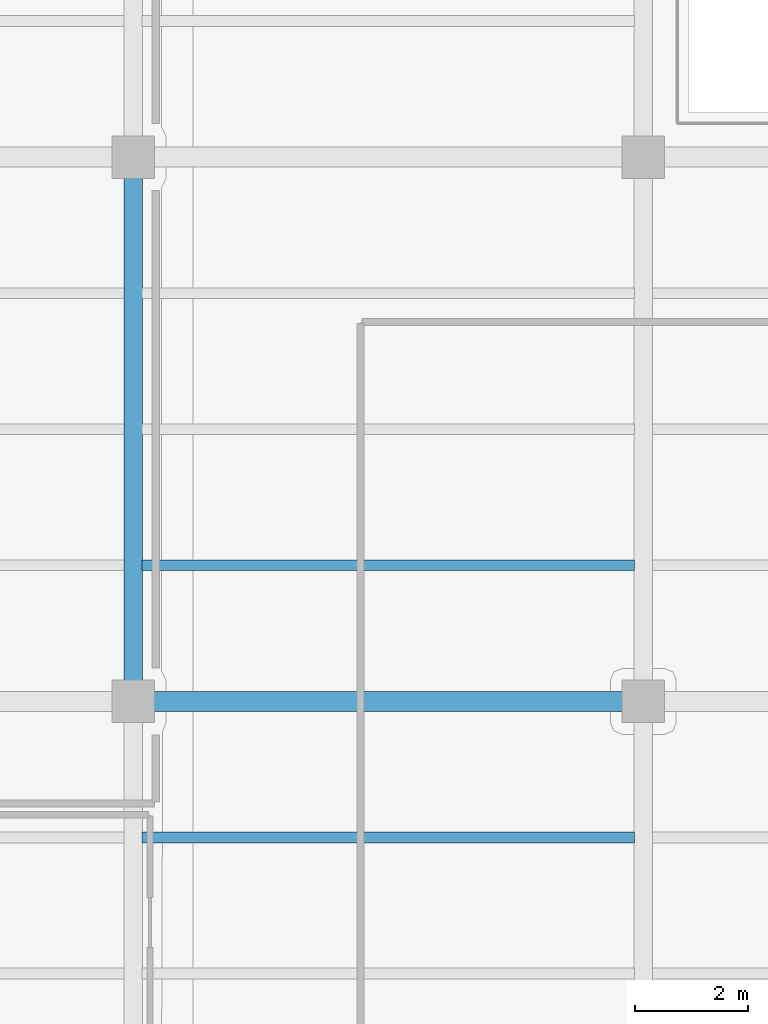
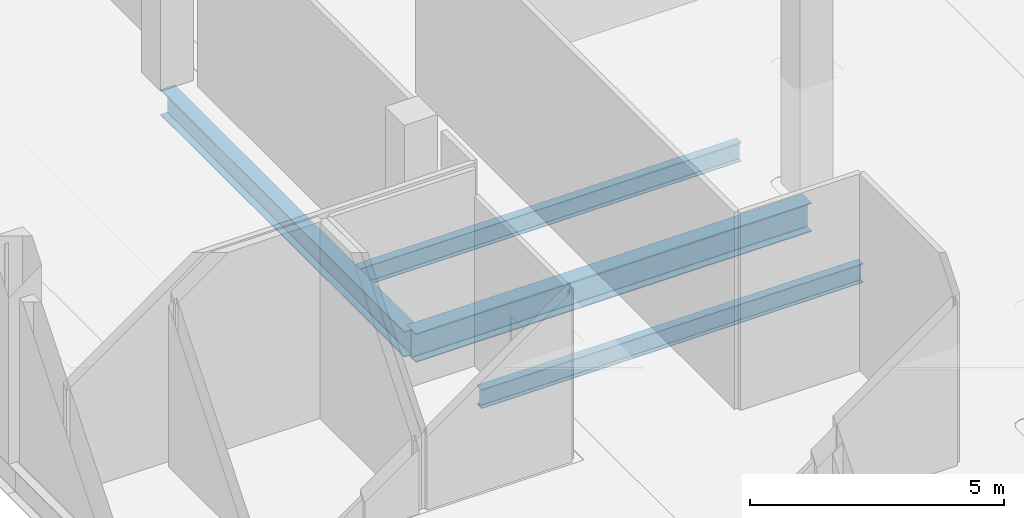
# One storey, part 4 of 47: 4 beams.
"""IFC4 building model written with IfcOpenShell, lengths in metres."""

from ifc_helpers import new_model, si_unit, direction, frame, origin, origin_2d, place, context, subcontext, project, spatial, i_section, extrude, material, material_profile, profile_set, type_object, element, save


model = new_model("IFC4")

# Units and contexts
model_context = context("Model", 3, precision=1e-05, world=origin(), true_north=direction((0.0, 1.0)))
body_context = subcontext(model_context, "Body", "Model", "MODEL_VIEW")
ifc_project = project(units=[si_unit("LENGTHUNIT", "METRE"), si_unit("AREAUNIT", "SQUARE_METRE"), si_unit("VOLUMEUNIT", "CUBIC_METRE"), si_unit("PLANEANGLEUNIT", "RADIAN"), si_unit("MASSUNIT", "GRAM", prefix="KILO")], contexts=[model_context])

# Site, building, storey
site_placement = place(None, origin())
site = spatial("IfcSite", under=ifc_project, at=site_placement, CompositionType="ELEMENT")
building_placement = place(site_placement, origin())
building = spatial("IfcBuilding", under=site, at=building_placement, Name="Qorvath Tower", CompositionType="ELEMENT")
storey_placement = place(building_placement, frame((0.0, 0.0, 12.0)))
storey = spatial("IfcBuildingStorey", under=building, at=storey_placement, Name="L02", CompositionType="ELEMENT", Elevation=12.0)

# Beams
ifc_material_1 = material(Name="Steel ASTM A992 Grade 50", Category="steel")
ifc_material_profile_1 = material_profile(ifc_material_1, i_section(OverallWidth=0.35595703125, OverallDepth=0.696044921875, WebThickness=0.015380859375, FlangeThickness=0.02490234375, FilletRadius=0.01806640625, at=origin_2d()), Name="W27x146")
ifc_profile_set_1 = profile_set([ifc_material_profile_1], Name="Steel ASTM A992 Grade 50")
beam_type_1 = type_object("IfcBeamType", Name="BM-FG4", PredefinedType="BEAM", material=ifc_profile_set_1)
beam_1_placement = place(storey_placement, frame((41.39990234375, -19.199951171875, -0.60791015625), z_axis=(1.0, 0.0, 0.0), x_axis=(0.0, 1.0, 0.0)))
element("IfcBeam", 1, at=beam_1_placement, inside=storey, type_object=beam_type_1, Name="Library E-W Girder L02-3-2", PredefinedType="BEAM", context=body_context, shape_type="SweptSolid", body=[
    extrude(i_section(OverallWidth=0.35595703125, OverallDepth=0.696044921875, WebThickness=0.015380859375, FlangeThickness=0.02490234375, FilletRadius=0.01806640625, at=origin_2d()), origin(), (0.0, 0.0, 1.0), 9.0),
])
ifc_material_2 = material(Name="Steel ASTM A992 Grade 50", Category="steel")
ifc_material_profile_2 = material_profile(ifc_material_2, i_section(OverallWidth=0.324951171875, OverallDepth=0.615966796875, WebThickness=0.013916015625, FlangeThickness=0.021484375, FilletRadius=0.01611328125, at=origin_2d()), Name="W24x117")
ifc_profile_set_2 = profile_set([ifc_material_profile_2], Name="Steel ASTM A992 Grade 50")
beam_type_2 = type_object("IfcBeamType", Name="BM-FG5", PredefinedType="BEAM", material=ifc_profile_set_2)
beam_2_placement = place(storey_placement, frame((41.39990234375, -19.199951171875, -0.568115234375), z_axis=(0.0, 1.0, 0.0), x_axis=(-1.0, 0.0, 0.0)))
element("IfcBeam", 2, at=beam_2_placement, inside=storey, type_object=beam_type_2, Name="Library N-S Girder L02-2-3", PredefinedType="BEAM", context=body_context, shape_type="SweptSolid", body=[
    extrude(i_section(OverallWidth=0.324951171875, OverallDepth=0.615966796875, WebThickness=0.013916015625, FlangeThickness=0.021484375, FilletRadius=0.01611328125, at=origin_2d()), origin(), (0.0, 0.0, 1.0), 9.599853515625),
])
ifc_material_3 = material(Name="Steel ASTM A992 Grade 50", Category="steel")
ifc_material_profile_3 = material_profile(ifc_material_3, i_section(OverallWidth=0.18994140625, OverallDepth=0.45703125, WebThickness=0.009033203125, FlangeThickness=0.014404296875, FilletRadius=0.011962890625, at=origin_2d()), Name="W18x50")
ifc_profile_set_3 = profile_set([ifc_material_profile_3], Name="Steel ASTM A992 Grade 50")
beam_type_3 = type_object("IfcBeamType", Name="BM-FJ2", PredefinedType="JOIST", material=ifc_profile_set_3)
for number, where, z_axis, x_axis, name in (
    (3, (41.560546875, -21.60009765625, -0.488525390625), (1.0, 0.0, 0.0), (0.0, 1.0, 0.0), "Library Stack Joist L02-2.3-2"),
    (4, (41.560546875, -16.800048828125, -0.488525390625), (1.0, 0.0, 0.0), (0.0, 1.0, 0.0), "Library Stack Joist L02-3.1-2"),
):
    element("IfcBeam", number, at=place(storey_placement, frame(where, z_axis=z_axis, x_axis=x_axis)), inside=storey, type_object=beam_type_3, Name=name, PredefinedType="JOIST", context=body_context, shape_type="SweptSolid", body=[
        extrude(i_section(OverallWidth=0.18994140625, OverallDepth=0.45703125, WebThickness=0.009033203125, FlangeThickness=0.014404296875, FilletRadius=0.011962890625, at=origin_2d()), origin(), (0.0, 0.0, 1.0), 8.678955078125),
    ])

save(model, "model.ifc")
